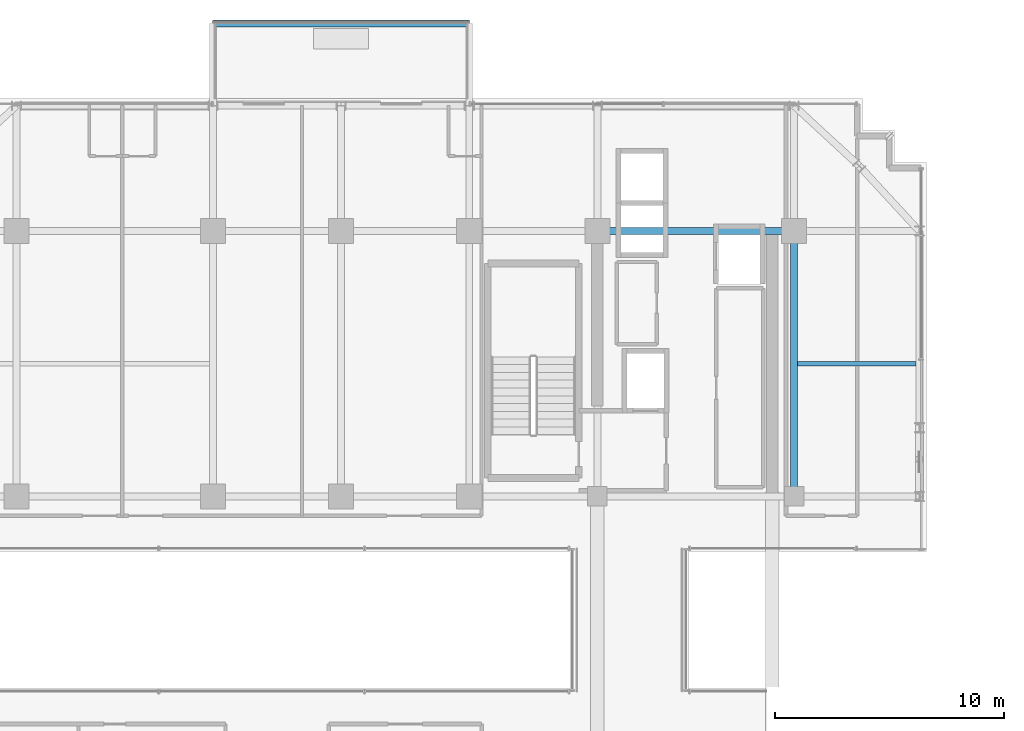
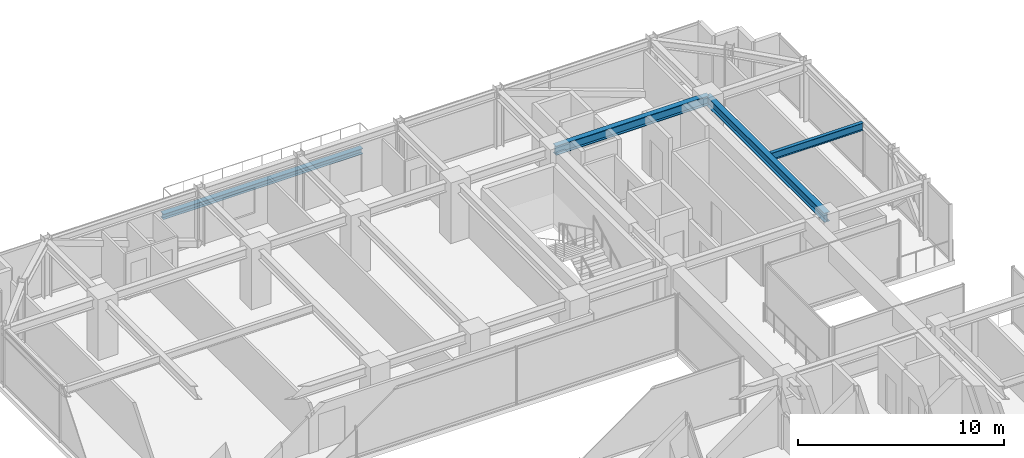
# One storey, part 25 of 41: 4 beams.
"""IFC4 building model written with IfcOpenShell, lengths in metres."""

from ifc_helpers import new_model, si_unit, direction, frame, origin, origin_2d, place, context, subcontext, project, spatial, i_section, extrude, source, transform, mapped, material, material_profile, profile_set, type_object, element, save


model = new_model("IFC4")

# Units and contexts
model_context = context("Model", 3, precision=1e-05, world=origin(), true_north=direction((0.0, 1.0)))
body_context = subcontext(model_context, "Body", "Model", "MODEL_VIEW")
ifc_project = project(units=[si_unit("LENGTHUNIT", "METRE"), si_unit("AREAUNIT", "SQUARE_METRE"), si_unit("VOLUMEUNIT", "CUBIC_METRE"), si_unit("PLANEANGLEUNIT", "RADIAN"), si_unit("MASSUNIT", "GRAM", prefix="KILO")], contexts=[model_context])

# Site, building, storey
site_placement = place(None, origin())
site = spatial("IfcSite", under=ifc_project, at=site_placement, CompositionType="ELEMENT")
building_placement = place(site_placement, origin())
building = spatial("IfcBuilding", under=site, at=building_placement, Name="Nahalor Promenade Grand Hotel", CompositionType="ELEMENT")
storey_placement = place(building_placement, frame((0.0, 0.0, 159.949951171875)))
storey = spatial("IfcBuildingStorey", under=building, at=storey_placement, Name="L40", CompositionType="ELEMENT", Elevation=159.949951171875)

# Beams
ifc_material = material(Name="Steel S355JR", Category="steel")
ifc_material_profile_1 = material_profile(ifc_material, i_section(OverallWidth=0.3, OverallDepth=0.32, WebThickness=0.0115, FlangeThickness=0.0205, at=origin_2d()), Name="HEB 320")
ifc_profile_set_1 = profile_set([ifc_material_profile_1], Name="Steel S355JR")
beam_type_1 = type_object("IfcBeamType", Name="Beam-BalcEdge-HEB320", PredefinedType="SPANDREL", material=ifc_profile_set_1)
shared_shape_1 = source(origin(), body_context, "Body", "SweptSolid", [
    extrude(i_section(OverallWidth=0.3, OverallDepth=0.32, WebThickness=0.0115, FlangeThickness=0.0205, at=origin_2d()), origin(), (0.0, 0.0, 1.0), 11.199951171875),
])
beam_1_placement = place(storey_placement, frame((-8.39990234375, 26.080078125, -0.43994140625), z_axis=(1.0, 0.0, 0.0), x_axis=(0.0, 1.0, 0.0)))
element("IfcBeam", 1, at=beam_1_placement, inside=storey, type_object=beam_type_1, Name="BM-L40-BC-01-F", PredefinedType="SPANDREL", context=body_context, shape_type="MappedRepresentation", body=[
    mapped(shared_shape_1, transform((0.0, 0.0, 0.0), scale=1.0)),
])
ifc_material_profile_2 = material_profile(ifc_material, i_section(OverallWidth=0.3, OverallDepth=0.55, WebThickness=0.015, FlangeThickness=0.029, at=origin_2d()), Name="HEB 550")
ifc_profile_set_2 = profile_set([ifc_material_profile_2], Name="Steel S355JR")
beam_type_2 = type_object("IfcBeamType", Name="Beam-Girder-HEB550", PredefinedType="BEAM", material=ifc_profile_set_2)
shared_shape_2 = source(origin(), body_context, "Body", "SweptSolid", [
    extrude(i_section(OverallWidth=0.3, OverallDepth=0.55, WebThickness=0.015, FlangeThickness=0.029, at=origin_2d()), origin(), (0.0, 0.0, 1.0), 8.60009765625),
])
beam_2_placement = place(storey_placement, frame((8.39990234375, 17.0, 3.114990234375), z_axis=(1.0, 0.0, 0.0), x_axis=(0.0, 1.0, 0.0)))
element("IfcBeam", 2, at=beam_2_placement, inside=storey, type_object=beam_type_2, Name="BM-L40-GX-3-5", PredefinedType="BEAM", context=body_context, shape_type="MappedRepresentation", body=[
    mapped(shared_shape_2, transform((0.0, 0.0, 0.0), scale=1.0)),
])
shared_shape_3 = source(origin(), body_context, "Body", "SweptSolid", [
    extrude(i_section(OverallWidth=0.3, OverallDepth=0.55, WebThickness=0.015, FlangeThickness=0.029, at=origin_2d()), origin(), (0.0, 0.0, 1.0), 11.60009765625),
])
beam_3_placement = place(storey_placement, frame((17.0, 5.39990234375, 3.114990234375), z_axis=(0.0, 1.0, 0.0), x_axis=(-1.0, 0.0, 0.0)))
element("IfcBeam", 3, at=beam_3_placement, inside=storey, type_object=beam_type_2, Name="BM-L40-GY-5-3", PredefinedType="BEAM", context=body_context, shape_type="MappedRepresentation", body=[
    mapped(shared_shape_3, transform((0.0, 0.0, 0.0), scale=1.0)),
])
ifc_material_profile_3 = material_profile(ifc_material, i_section(OverallWidth=0.19, OverallDepth=0.45, WebThickness=0.0094, FlangeThickness=0.0146, at=origin_2d()), Name="IPE 450")
ifc_profile_set_3 = profile_set([ifc_material_profile_3], Name="Steel S355JR")
beam_type_3 = type_object("IfcBeamType", Name="Beam-Joist-IPE450", PredefinedType="JOIST", material=ifc_profile_set_3)
shared_shape_4 = source(origin(), body_context, "Body", "SweptSolid", [
    extrude(i_section(OverallWidth=0.19, OverallDepth=0.45, WebThickness=0.0094, FlangeThickness=0.0146, at=origin_2d()), origin(), (0.0, 0.0, 1.0), 5.18017578125),
])
beam_4_placement = place(storey_placement, frame((17.14990234375, 11.199951171875, 3.1650390625), z_axis=(1.0, 0.0, 0.0), x_axis=(0.0, 1.0, 0.0)))
element("IfcBeam", 4, at=beam_4_placement, inside=storey, type_object=beam_type_3, Name="BM-L40-JSE-1-2", PredefinedType="JOIST", context=body_context, shape_type="MappedRepresentation", body=[
    mapped(shared_shape_4, transform((0.0, 0.0, 0.0), scale=1.0)),
])

save(model, "model.ifc")
